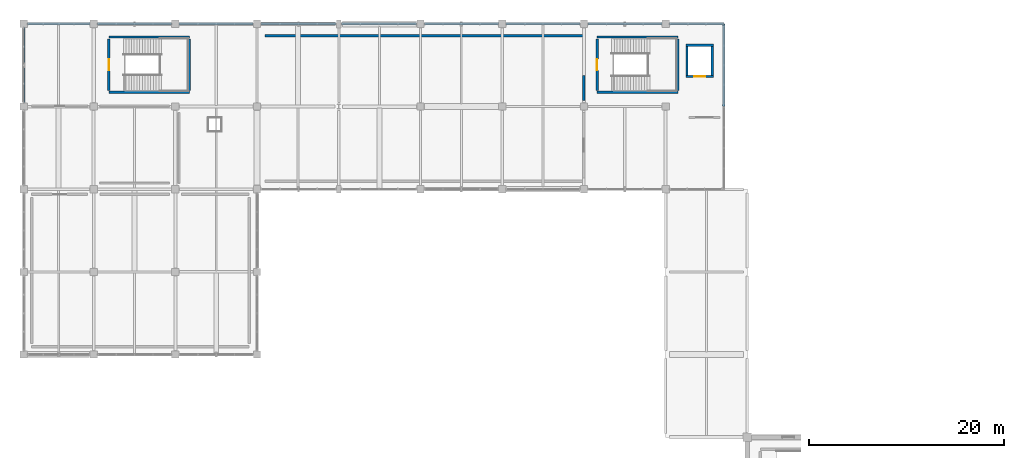
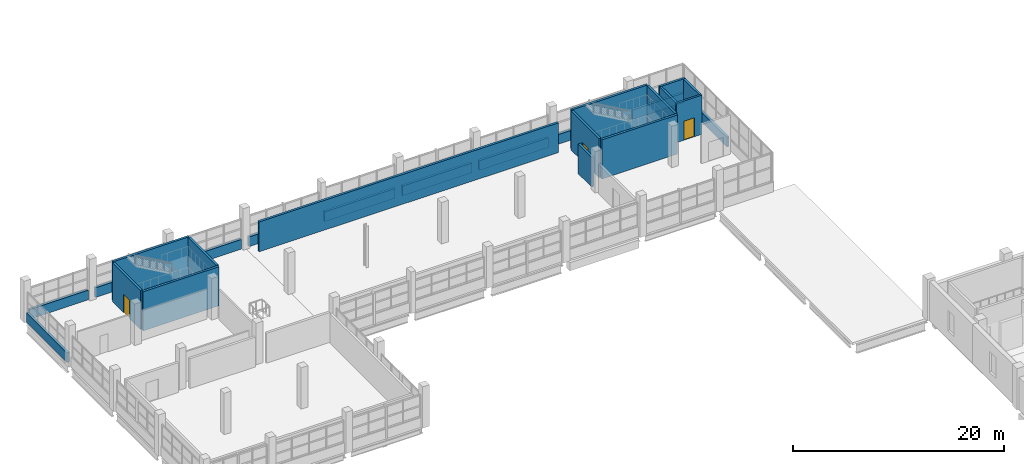
# One storey, part 106 of 117: 25 walls, 3 doors, 3 openings.
"""IFC4 building model written with IfcOpenShell, lengths in metres."""

import ifcopenshell
import ifcopenshell.guid

model = None  # the IFC model being written
_history = None  # IfcOwnerHistory: only IFC2X3 demands one
_inside = {}  # id of a spatial element -> (the spatial element, [elements in it])
_under = {}  # id of a project, library or spatial element -> (it, [spatial elements below it])
_declared = {}  # id of a project -> (the project, [libraries it declares])
_typed = {}  # id of a type object -> (the type object, [elements of that type])
_made_of = {}  # id of a material, layer set ... -> (it, [elements and type objects made of it])


def new_model(schema):
    """Start an empty IFC model of exactly this schema.

    Asked for "IFC4X3", IfcOpenShell would pick the latest addendum, in which some entities
    have other attributes; the version numbers below select the first issue.
    IFC2X3 requires an IfcOwnerHistory on every rooted entity: one is made here for all.
    """
    global model, _history
    if schema == "IFC4X3":
        model = ifcopenshell.file(schema_version=(4, 3, 0, 0))
    else:
        model = ifcopenshell.file(schema=schema)
    _inside.clear()
    _under.clear()
    _declared.clear()
    _typed.clear()
    _made_of.clear()
    _history = None
    if model.schema == "IFC2X3":
        org = make("IfcOrganization", Name="unknown")
        user = make(
            "IfcPersonAndOrganization",
            ThePerson=make("IfcPerson", FamilyName="unknown"),
            TheOrganization=org,
        )
        app = make(
            "IfcApplication",
            ApplicationDeveloper=org,
            Version="unknown",
            ApplicationFullName="unknown",
            ApplicationIdentifier="unknown",
        )
        _history = make(
            "IfcOwnerHistory",
            OwningUser=user,
            OwningApplication=app,
            ChangeAction="ADDED",
            CreationDate=0,
        )
    return model


def make(cls, **values):
    """One entity of the class cls with the attributes given. An attribute that is None is left unset."""
    return model.create_entity(
        cls, **{name: value for name, value in values.items() if value is not None}
    )


def rooted(cls, **values):
    """An entity with a GlobalId (a new one), such as an element, a storey or a relation."""
    return make(cls, GlobalId=ifcopenshell.guid.new(), OwnerHistory=_history, **values)


def si_unit(unit_type, name, prefix=None):
    """IfcSIUnit, for example si_unit("LENGTHUNIT", "METRE", prefix="MILLI")."""
    return make("IfcSIUnit", UnitType=unit_type, Prefix=prefix, Name=name)


def assignment(units):
    """IfcUnitAssignment: the units of a project."""
    return None if units is None else make("IfcUnitAssignment", Units=units)


def point(xyz):
    """IfcCartesianPoint."""
    return None if xyz is None else make("IfcCartesianPoint", Coordinates=xyz)


def direction(xyz):
    """IfcDirection."""
    return None if xyz is None else make("IfcDirection", DirectionRatios=xyz)


def frame(location, z_axis=None, x_axis=None):
    """IfcAxis2Placement3D, a coordinate frame: its origin and axes. An axis left out is left unset."""
    return make(
        "IfcAxis2Placement3D",
        Location=point(location),
        Axis=direction(z_axis),
        RefDirection=direction(x_axis),
    )


def frame_2d(location, x_axis=None):
    """IfcAxis2Placement2D, a coordinate frame in the plane: its origin and x axis."""
    return make(
        "IfcAxis2Placement2D", Location=point(location), RefDirection=direction(x_axis)
    )


def origin():
    """The frame at (0, 0, 0) with its axes left unset."""
    return frame((0.0, 0.0, 0.0))


def place(relative_to, where):
    """IfcLocalPlacement: puts the frame where relative to a parent placement (None: the world)."""
    return make(
        "IfcLocalPlacement", PlacementRelTo=relative_to, RelativePlacement=where
    )


def context(
    kind, dimensions, precision=None, world=None, true_north=None, identifier=None
):
    """IfcGeometricRepresentationContext, for example the 3D "Model" context."""
    return make(
        "IfcGeometricRepresentationContext",
        ContextIdentifier=identifier,
        ContextType=kind,
        CoordinateSpaceDimension=dimensions,
        Precision=precision,
        WorldCoordinateSystem=world,
        TrueNorth=true_north,
    )


def subcontext(parent, identifier, kind, view, scale=None):
    """IfcGeometricRepresentationSubContext, for example "Body" below "Model"."""
    return make(
        "IfcGeometricRepresentationSubContext",
        ContextIdentifier=identifier,
        ContextType=kind,
        ParentContext=parent,
        TargetScale=scale,
        TargetView=view,
    )


def project(units=None, contexts=None):
    """IfcProject with its units and contexts."""
    return rooted(
        "IfcProject",
        Name="project",
        RepresentationContexts=contexts,
        UnitsInContext=assignment(units),
    )


def spatial(cls, under=None, at=None, **own):
    """A site, building, storey or space (cls), placed at a placement, below another one or the project."""
    s = rooted(cls, ObjectPlacement=at, **own)
    if under is not None:
        _under.setdefault(under.id(), (under, []))[1].append(s)
    return s


def profile(cls, at=None, kind="AREA", **sizes):
    """A parametric profile (cls). Its sizes go by their IFC names, for example OverallWidth=200.0."""
    return make(cls, ProfileType=kind, Position=at, **sizes)


def rectangle(**sizes):
    """IfcRectangleProfileDef."""
    return profile("IfcRectangleProfileDef", **sizes)


def extrude(swept, where, along, depth):
    """IfcExtrudedAreaSolid: the profile swept, set in the frame where, extruded along a direction by depth."""
    return make(
        "IfcExtrudedAreaSolid",
        SweptArea=swept,
        Position=where,
        ExtrudedDirection=direction(along),
        Depth=depth,
    )


def shape(context_of_items, identifier, shape_type, items):
    """IfcShapeRepresentation: the items that make up one representation, for example the "Body"."""
    return make(
        "IfcShapeRepresentation",
        ContextOfItems=context_of_items,
        RepresentationIdentifier=identifier,
        RepresentationType=shape_type,
        Items=items,
    )


def material(Name=None, Category=None):
    """IfcMaterial."""
    return make("IfcMaterial", Name=Name, Category=Category)


def layer(
    of_material, thickness, ventilated=None, Name=None, Category=None, Priority=None
):
    """IfcMaterialLayer: one layer of a wall or slab, of a material (None: an air gap)."""
    return make(
        "IfcMaterialLayer",
        Material=of_material,
        LayerThickness=thickness,
        IsVentilated=ventilated,
        Name=Name,
        Category=Category,
        Priority=Priority,
    )


def layer_set(layers, Name=None):
    """IfcMaterialLayerSet."""
    return make("IfcMaterialLayerSet", MaterialLayers=layers, LayerSetName=Name)


def made_of(thing, what):
    """Note that an element or type object is made of a material, layer set ...; save() writes the relation."""
    if what is not None:
        _made_of.setdefault(what.id(), (what, []))[1].append(thing)
    return thing


def type_object(cls, material=None, **own):
    """A type object (cls), such as IfcWallType, which elements share."""
    return made_of(rooted(cls, **own), material)


def element(
    cls,
    number,
    at=None,
    inside=None,
    cuts=None,
    type_object=None,
    material=None,
    context=None,
    identifier="Body",
    shape_type=None,
    held_by="IfcProductDefinitionShape",
    body=None,
    shapes=None,
    **own,
):
    """One element of the class cls, such as IfcWall. Its Tag is "e" and its number.

    at: its placement. inside: the storey or other place that contains it. cuts: it is an
    opening in that element (IfcRelVoidsElement). A single representation is given by context,
    identifier, shape_type and body (its items); several are given by shapes. held_by: the class
    of the entity that holds the representations. save() writes the other relations.
    """
    e = rooted(cls, Tag="e%d" % number, ObjectPlacement=at, **own)
    if body is not None:
        shapes = [shape(context, identifier, shape_type, body)]
    if shapes is not None:
        e.Representation = make(held_by, Representations=shapes)
    if inside is not None:
        _inside.setdefault(inside.id(), (inside, []))[1].append(e)
    if cuts is not None:
        rooted(
            "IfcRelVoidsElement", RelatingBuildingElement=cuts, RelatedOpeningElement=e
        )
    if type_object is not None:
        _typed.setdefault(type_object.id(), (type_object, []))[1].append(e)
    return made_of(e, material)


def fill(opening, filler):
    """IfcRelFillsElement: the door or window that sits in an opening."""
    return rooted(
        "IfcRelFillsElement",
        RelatingOpeningElement=opening,
        RelatedBuildingElement=filler,
    )


def aggregate(whole, parts):
    """IfcRelAggregates: a whole, such as a stair, and the parts it consists of."""
    return rooted("IfcRelAggregates", RelatingObject=whole, RelatedObjects=parts)


def save(model, path):
    """Write the relations noted so far, then the file.

    IfcRelAggregates (storeys below a building ...), IfcRelContainedInSpatialStructure (elements
    in a storey), IfcRelDefinesByType, IfcRelAssociatesMaterial and IfcRelDeclares: one each for
    every whole, place, type object, material and project.
    """
    for whole, parts in _under.values():
        aggregate(whole, parts)
    for where, things in _inside.values():
        rooted(
            "IfcRelContainedInSpatialStructure",
            RelatedElements=things,
            RelatingStructure=where,
        )
    for kind, things in _typed.values():
        rooted("IfcRelDefinesByType", RelatedObjects=things, RelatingType=kind)
    for what, things in _made_of.values():
        rooted("IfcRelAssociatesMaterial", RelatedObjects=things, RelatingMaterial=what)
    for by, libraries in _declared.values():
        rooted("IfcRelDeclares", RelatingContext=by, RelatedDefinitions=libraries)
    model.write(path)


model = new_model("IFC4")

# Units and contexts
model_context = context("Model", 3, precision=1e-05, world=origin(), true_north=direction((0.0, 1.0)))
body_context = subcontext(model_context, "Body", "Model", "MODEL_VIEW")
ifc_project = project(units=[si_unit("LENGTHUNIT", "METRE"), si_unit("AREAUNIT", "SQUARE_METRE"), si_unit("VOLUMEUNIT", "CUBIC_METRE"), si_unit("PLANEANGLEUNIT", "RADIAN"), si_unit("MASSUNIT", "GRAM", prefix="KILO")], contexts=[model_context])

# Site, building, storey
site_placement = place(None, origin())
site = spatial("IfcSite", under=ifc_project, at=site_placement, CompositionType="ELEMENT")
building_placement = place(site_placement, origin())
building = spatial("IfcBuilding", under=site, at=building_placement, Name="Solvento Point Concert Hall", CompositionType="ELEMENT")
storey_placement = place(building_placement, frame((0.0, 0.0, 5.39990234375)))
storey = spatial("IfcBuildingStorey", under=building, at=storey_placement, Name="L01", CompositionType="ELEMENT", Elevation=5.39990234375)

# Walls
ifc_material_1 = material(Name="Acoustic Double-Stud Gypsum Partition")
ifc_layer_1 = layer(ifc_material_1, 0.2451171875)
ifc_layer_set_1 = layer_set([ifc_layer_1], Name="Acoustic Double-Stud Gypsum Partition")
wall_type_1 = type_object("IfcWallType", Name="AcousticPartition_245", PredefinedType="PARTITIONING", material=ifc_layer_set_1)
wall_1_placement = place(storey_placement, frame((24.820068359375, 134.780029296875, 0.0), z_axis=(0.0, 0.0, 1.0), x_axis=(1.0, 0.0, 0.0)))
element("IfcWall", 1, at=wall_1_placement, inside=storey, type_object=wall_type_1, Name="Interior acoustic partition PW-28 L01", PredefinedType="PARTITIONING", context=body_context, shape_type="SweptSolid", body=[
    extrude(rectangle(XDim=32.760009765625, YDim=0.2451171875, at=frame_2d((16.3798828125, 0.0))), origin(), (0.0, 0.0, 1.0), 3.4501953125),
])
wall_2_placement = place(storey_placement, frame((57.580078125, 130.712890625, 0.0), z_axis=(0.0, 0.0, 1.0), x_axis=(0.0, -1.0, 0.0)))
element("IfcWall", 2, at=wall_2_placement, inside=storey, type_object=wall_type_1, Name="Interior acoustic partition PW-28 L01", PredefinedType="PARTITIONING", context=body_context, shape_type="SweptSolid", body=[
    extrude(rectangle(XDim=2.587890625, YDim=0.2451171875, at=frame_2d((1.2939453125, 0.0))), origin(), (0.0, 0.0, 1.0), 3.4501953125),
])
ifc_material_2 = material(Name="Concrete C40/50", Category="concrete")
ifc_layer_2 = layer(ifc_material_2, 0.300048828125)
ifc_layer_set_2 = layer_set([ifc_layer_2], Name="Concrete C40/50")
wall_type_2 = type_object("IfcWallType", Name="CoreShearWall_300", PredefinedType="SHEAR", material=ifc_layer_set_2)
for number, where, z_axis, x_axis, name in (
    (3, (67.25, 128.949951171875, 0.0), (0.0, 0.0, 1.0), (-1.0, 0.0, 0.0), "Stair core shear wall W-SH1 ST-04 L01"),
    (4, (58.949951171875, 134.64990234375, 0.0), (0.0, 0.0, 1.0), (1.0, 0.0, 0.0), "Stair core shear wall W-SH1 ST-04 L01"),
):
    element("IfcWall", number, at=place(storey_placement, frame(where, z_axis=z_axis, x_axis=x_axis)), inside=storey, type_object=wall_type_2, Name=name, PredefinedType="SHEAR", context=body_context, shape_type="SweptSolid", body=[
        extrude(rectangle(XDim=8.300048828125, YDim=0.25, at=frame_2d((4.14990234375, 0.0))), origin(), (0.0, 0.0, 1.0), 4.530029296875),
    ])

# Wall, opening, door
wall_3_placement = place(storey_placement, frame((58.949951171875, 129.14990234375, 0.0), z_axis=(0.0, 0.0, 1.0), x_axis=(0.0, 1.0, 0.0)))
wall_3 = element("IfcWall", 5, at=wall_3_placement, inside=storey, type_object=wall_type_2, Name="Stair core shear wall W-SH1 ST-04 L01", PredefinedType="SHEAR", context=body_context, shape_type="SweptSolid", body=[
    extrude(rectangle(XDim=5.300048828125, YDim=0.25, at=frame_2d((2.64990234375, 0.0))), origin(), (0.0, 0.0, 1.0), 4.530029296875),
])
opening_1_placement = place(wall_3_placement, frame((2.074951171875, 0.0, 0.0)))
opening_1 = element("IfcOpeningElement", 6, at=opening_1_placement, cuts=wall_3, Name="Opening D-ST1", PredefinedType="OPENING", context=body_context, shape_type="SweptSolid", body=[
    extrude(rectangle(XDim=1.14990234375, YDim=2.179931640625, at=frame_2d((0.574951171875, 1.08984375))), frame((0.0, 0.135009765625, 0.0), z_axis=(0.0, -1.0, 0.0), x_axis=(1.0, 0.0, 0.0)), (0.0, 0.0, 1.0), 0.27001953125),
])
ifc_material_3 = material(Name="Hollow Metal Acoustic Fire Door")
door_type_1 = type_object("IfcDoorType", Name="StairFireDoor_1150", OperationType="NOTDEFINED", PredefinedType="DOOR", material=ifc_material_3)
door_1_placement = place(opening_1_placement, origin())
door_1 = element("IfcDoor", 7, at=door_1_placement, inside=storey, type_object=door_type_1, Name="Protected exit stair door ST-04 L01", OperationType="SINGLE_SWING_LEFT", OverallHeight=2.179931640625, OverallWidth=1.14990234375, PredefinedType="DOOR", context=body_context, shape_type="SweptSolid", body=[
    extrude(rectangle(XDim=1.14990234375, YDim=2.179931640625, at=frame_2d((0.574951171875, 1.08984375))), frame((0.0, 0.02490234375, 0.0), z_axis=(0.0, -1.0, 0.0), x_axis=(1.0, 0.0, 0.0)), (0.0, 0.0, 1.0), 0.050048828125),
])
fill(opening_1, door_1)

# Walls
wall_4_placement = place(storey_placement, frame((67.25, 134.449951171875, 0.0), z_axis=(0.0, 0.0, 1.0), x_axis=(0.0, -1.0, 0.0)))
element("IfcWall", 8, at=wall_4_placement, inside=storey, type_object=wall_type_2, Name="Stair core shear wall W-SH1 ST-04 L01", PredefinedType="SHEAR", context=body_context, shape_type="SweptSolid", body=[
    extrude(rectangle(XDim=5.300048828125, YDim=0.25, at=frame_2d((2.64990234375, 0.0))), origin(), (0.0, 0.0, 1.0), 4.530029296875),
])
for number, where, z_axis, x_axis, name in (
    (9, (17.050048828125, 128.949951171875, 0.0), (0.0, 0.0, 1.0), (-1.0, 0.0, 0.0), "Stair core shear wall W-SH1 ST-05 L01"),
    (10, (8.75, 134.64990234375, 0.0), (0.0, 0.0, 1.0), (1.0, 0.0, 0.0), "Stair core shear wall W-SH1 ST-05 L01"),
):
    element("IfcWall", number, at=place(storey_placement, frame(where, z_axis=z_axis, x_axis=x_axis)), inside=storey, type_object=wall_type_2, Name=name, PredefinedType="SHEAR", context=body_context, shape_type="SweptSolid", body=[
        extrude(rectangle(XDim=8.300048828125, YDim=0.25, at=frame_2d((4.14990234375, 0.0))), origin(), (0.0, 0.0, 1.0), 4.530029296875),
    ])

# Wall, opening, door
wall_5_placement = place(storey_placement, frame((8.75, 129.14990234375, 0.0), z_axis=(0.0, 0.0, 1.0), x_axis=(0.0, 1.0, 0.0)))
wall_5 = element("IfcWall", 11, at=wall_5_placement, inside=storey, type_object=wall_type_2, Name="Stair core shear wall W-SH1 ST-05 L01", PredefinedType="SHEAR", context=body_context, shape_type="SweptSolid", body=[
    extrude(rectangle(XDim=5.300048828125, YDim=0.25, at=frame_2d((2.64990234375, 0.0))), origin(), (0.0, 0.0, 1.0), 4.530029296875),
])
opening_2_placement = place(wall_5_placement, frame((2.074951171875, 0.0, 0.0)))
opening_2 = element("IfcOpeningElement", 12, at=opening_2_placement, cuts=wall_5, Name="Opening D-ST1", PredefinedType="OPENING", context=body_context, shape_type="SweptSolid", body=[
    extrude(rectangle(XDim=1.14990234375, YDim=2.179931640625, at=frame_2d((0.574951171875, 1.08984375))), frame((0.0, 0.135009765625, 0.0), z_axis=(0.0, -1.0, 0.0), x_axis=(1.0, 0.0, 0.0)), (0.0, 0.0, 1.0), 0.27001953125),
])
door_2_placement = place(opening_2_placement, origin())
door_2 = element("IfcDoor", 13, at=door_2_placement, inside=storey, type_object=door_type_1, Name="Protected exit stair door ST-05 L01", OperationType="SINGLE_SWING_RIGHT", OverallHeight=2.179931640625, OverallWidth=1.14990234375, PredefinedType="DOOR", context=body_context, shape_type="SweptSolid", body=[
    extrude(rectangle(XDim=1.14990234375, YDim=2.179931640625, at=frame_2d((0.574951171875, 1.08984375))), frame((0.0, 0.02490234375, 0.0), z_axis=(0.0, -1.0, 0.0), x_axis=(1.0, 0.0, 0.0)), (0.0, 0.0, 1.0), 0.050048828125),
])
fill(opening_2, door_2)

# Wall
wall_6_placement = place(storey_placement, frame((17.050048828125, 134.449951171875, 0.0), z_axis=(0.0, 0.0, 1.0), x_axis=(0.0, -1.0, 0.0)))
element("IfcWall", 14, at=wall_6_placement, inside=storey, type_object=wall_type_2, Name="Stair core shear wall W-SH1 ST-05 L01", PredefinedType="SHEAR", context=body_context, shape_type="SweptSolid", body=[
    extrude(rectangle(XDim=5.300048828125, YDim=0.25, at=frame_2d((2.64990234375, 0.0))), origin(), (0.0, 0.0, 1.0), 4.530029296875),
])

# Wall, opening, door
wall_7_placement = place(storey_placement, frame((68.090087890625, 130.60009765625, 0.0), z_axis=(0.0, 0.0, 1.0), x_axis=(1.0, 0.0, 0.0)))
wall_7 = element("IfcWall", 15, at=wall_7_placement, inside=storey, type_object=wall_type_2, Name="Elevator shaft shear wall W-SH1 LP-03 L01", PredefinedType="SHEAR", context=body_context, shape_type="SweptSolid", body=[
    extrude(rectangle(XDim=2.81982421875, YDim=0.219970703125, at=frame_2d((1.409912109375, 0.0))), origin(), (0.0, 0.0, 1.0), 4.530029296875),
])
opening_3_placement = place(wall_7_placement, frame((0.8349609375, 0.0, 0.0)))
opening_3 = element("IfcOpeningElement", 16, at=opening_3_placement, cuts=wall_7, Name="Opening LD-02", PredefinedType="OPENING", context=body_context, shape_type="SweptSolid", body=[
    extrude(rectangle(XDim=1.14990234375, YDim=2.199951171875, at=frame_2d((0.574951171875, 1.10009765625))), frame((0.0, 0.119873046875, 0.0), z_axis=(0.0, -1.0, 0.0), x_axis=(1.0, 0.0, 0.0)), (0.0, 0.0, 1.0), 0.239990234375),
])
ifc_material_4 = material(Name="Hollow Metal Acoustic Fire Door")
door_type_2 = type_object("IfcDoorType", Name="LiftLandingDoor_Pass", OperationType="SLIDING_TO_LEFT", PredefinedType="DOOR", material=ifc_material_4)
door_3_placement = place(opening_3_placement, origin())
door_3 = element("IfcDoor", 17, at=door_3_placement, inside=storey, type_object=door_type_2, Name="Elevator landing door LP-03 L01", OperationType="SLIDING_TO_LEFT", OverallHeight=2.199951171875, OverallWidth=1.14990234375, PredefinedType="DOOR", context=body_context, shape_type="SweptSolid", body=[
    extrude(rectangle(XDim=1.14990234375, YDim=2.199951171875, at=frame_2d((0.574951171875, 1.10009765625))), frame((0.0, 0.02490234375, 0.0), z_axis=(0.0, -1.0, 0.0), x_axis=(1.0, 0.0, 0.0)), (0.0, 0.0, 1.0), 0.050048828125),
])
fill(opening_3, door_3)

# Walls
wall_8_placement = place(storey_placement, frame((68.090087890625, 133.800048828125, 0.0), z_axis=(0.0, 0.0, 1.0), x_axis=(1.0, 0.0, 0.0)))
element("IfcWall", 18, at=wall_8_placement, inside=storey, type_object=wall_type_2, Name="Elevator shaft shear wall W-SH1 LP-03 L01", PredefinedType="SHEAR", context=body_context, shape_type="SweptSolid", body=[
    extrude(rectangle(XDim=2.81982421875, YDim=0.219970703125, at=frame_2d((1.409912109375, 0.0))), origin(), (0.0, 0.0, 1.0), 4.530029296875),
])
for number, where, z_axis, x_axis, name in (
    (19, (68.199951171875, 130.7099609375, 0.0), (0.0, 0.0, 1.0), (0.0, 1.0, 0.0), "Elevator shaft shear wall W-SH1 LP-03 L01"),
    (20, (70.800048828125, 130.7099609375, 0.0), (0.0, 0.0, 1.0), (0.0, 1.0, 0.0), "Elevator shaft shear wall W-SH1 LP-03 L01"),
):
    element("IfcWall", number, at=place(storey_placement, frame(where, z_axis=z_axis, x_axis=x_axis)), inside=storey, type_object=wall_type_2, Name=name, PredefinedType="SHEAR", context=body_context, shape_type="SweptSolid", body=[
        extrude(rectangle(XDim=2.97998046875, YDim=0.219970703125, at=frame_2d((1.489990234375, 0.0))), origin(), (0.0, 0.0, 1.0), 4.530029296875),
    ])
ifc_material_5 = material(Name="Concrete C40/50", Category="concrete")
ifc_layer_3 = layer(ifc_material_5, 0.260009765625)
ifc_layer_set_3 = layer_set([ifc_layer_3], Name="Concrete C40/50")
wall_type_3 = type_object("IfcWallType", Name="Parapet_Ring_260", PredefinedType="PARAPET", material=ifc_layer_set_3)
wall_9_placement = place(storey_placement, frame((0.0, 127.89501953125, 0.0), z_axis=(0.0, 0.0, 1.0), x_axis=(0.0, 1.0, 0.0)))
element("IfcWall", 21, at=wall_9_placement, inside=storey, type_object=wall_type_3, Name="Sliding elliptical white concrete ring spandrel PR-01 L01", PredefinedType="PARAPET", context=body_context, shape_type="SweptSolid", body=[
    extrude(rectangle(XDim=7.7099609375, YDim=0.260009765625, at=frame_2d((3.85498046875, 0.0))), origin(), (0.0, 0.0, 1.0), 1.1201171875),
])
wall_10_placement = place(storey_placement, frame((0.39501953125, 136.0, 0.0), z_axis=(0.0, 0.0, 1.0), x_axis=(1.0, 0.0, 0.0)))
element("IfcWall", 22, at=wall_10_placement, inside=storey, type_object=wall_type_3, Name="Sliding elliptical white concrete ring spandrel PR-01 L01", PredefinedType="PARAPET", context=body_context, shape_type="SweptSolid", body=[
    extrude(rectangle(XDim=6.409912109375, YDim=0.260009765625, at=frame_2d((3.205078125, 0.0))), origin(), (0.0, 0.0, 1.0), 1.1201171875),
])
wall_11_placement = place(storey_placement, frame((7.594970703125, 136.0, 0.0), z_axis=(0.0, 0.0, 1.0), x_axis=(1.0, 0.0, 0.0)))
element("IfcWall", 23, at=wall_11_placement, inside=storey, type_object=wall_type_3, Name="Sliding elliptical white concrete ring spandrel PR-01 L01", PredefinedType="PARAPET", context=body_context, shape_type="SweptSolid", body=[
    extrude(rectangle(XDim=7.610107421875, YDim=0.260009765625, at=frame_2d((3.80517578125, 0.0))), origin(), (0.0, 0.0, 1.0), 1.1201171875),
])
wall_12_placement = place(storey_placement, frame((15.9951171875, 136.0, 0.0), z_axis=(0.0, 0.0, 1.0), x_axis=(1.0, 0.0, 0.0)))
element("IfcWall", 24, at=wall_12_placement, inside=storey, type_object=wall_type_3, Name="Sliding elliptical white concrete ring spandrel PR-01 L01", PredefinedType="PARAPET", context=body_context, shape_type="SweptSolid", body=[
    extrude(rectangle(XDim=7.60986328125, YDim=0.260009765625, at=frame_2d((3.804931640625, 0.0))), origin(), (0.0, 0.0, 1.0), 1.1201171875),
])
wall_13_placement = place(storey_placement, frame((24.39501953125, 136.0, 0.0), z_axis=(0.0, 0.0, 1.0), x_axis=(1.0, 0.0, 0.0)))
element("IfcWall", 25, at=wall_13_placement, inside=storey, type_object=wall_type_3, Name="Sliding elliptical white concrete ring spandrel PR-01 L01", PredefinedType="PARAPET", context=body_context, shape_type="SweptSolid", body=[
    extrude(rectangle(XDim=7.73486328125, YDim=0.260009765625, at=frame_2d((3.867431640625, 0.0))), origin(), (0.0, 0.0, 1.0), 1.1201171875),
])
wall_14_placement = place(storey_placement, frame((32.669921875, 136.0, 0.0), z_axis=(0.0, 0.0, 1.0), x_axis=(1.0, 0.0, 0.0)))
element("IfcWall", 26, at=wall_14_placement, inside=storey, type_object=wall_type_3, Name="Sliding elliptical white concrete ring spandrel PR-01 L01", PredefinedType="PARAPET", context=body_context, shape_type="SweptSolid", body=[
    extrude(rectangle(XDim=7.735107421875, YDim=0.260009765625, at=frame_2d((3.86767578125, 0.0))), origin(), (0.0, 0.0, 1.0), 1.1201171875),
])
wall_15_placement = place(storey_placement, frame((41.195068359375, 136.0, 0.0), z_axis=(0.0, 0.0, 1.0), x_axis=(1.0, 0.0, 0.0)))
element("IfcWall", 27, at=wall_15_placement, inside=storey, type_object=wall_type_3, Name="Sliding elliptical white concrete ring spandrel PR-01 L01", PredefinedType="PARAPET", context=body_context, shape_type="SweptSolid", body=[
    extrude(rectangle(XDim=7.60986328125, YDim=0.260009765625, at=frame_2d((3.804931640625, 0.0))), origin(), (0.0, 0.0, 1.0), 1.1201171875),
])
wall_16_placement = place(storey_placement, frame((49.594970703125, 136.0, 0.0), z_axis=(0.0, 0.0, 1.0), x_axis=(1.0, 0.0, 0.0)))
element("IfcWall", 28, at=wall_16_placement, inside=storey, type_object=wall_type_3, Name="Sliding elliptical white concrete ring spandrel PR-01 L01", PredefinedType="PARAPET", context=body_context, shape_type="SweptSolid", body=[
    extrude(rectangle(XDim=7.610107421875, YDim=0.260009765625, at=frame_2d((3.80517578125, 0.0))), origin(), (0.0, 0.0, 1.0), 1.1201171875),
])
wall_17_placement = place(storey_placement, frame((57.9951171875, 136.0, 0.0), z_axis=(0.0, 0.0, 1.0), x_axis=(1.0, 0.0, 0.0)))
element("IfcWall", 29, at=wall_17_placement, inside=storey, type_object=wall_type_3, Name="Sliding elliptical white concrete ring spandrel PR-01 L01", PredefinedType="PARAPET", context=body_context, shape_type="SweptSolid", body=[
    extrude(rectangle(XDim=7.60986328125, YDim=0.260009765625, at=frame_2d((3.804931640625, 0.0))), origin(), (0.0, 0.0, 1.0), 1.1201171875),
])
wall_18_placement = place(storey_placement, frame((66.39501953125, 136.0, 0.0), z_axis=(0.0, 0.0, 1.0), x_axis=(1.0, 0.0, 0.0)))
element("IfcWall", 30, at=wall_18_placement, inside=storey, type_object=wall_type_3, Name="Sliding elliptical white concrete ring spandrel PR-01 L01", PredefinedType="PARAPET", context=body_context, shape_type="SweptSolid", body=[
    extrude(rectangle(XDim=5.60498046875, YDim=0.260009765625, at=frame_2d((2.802490234375, 0.0))), origin(), (0.0, 0.0, 1.0), 1.1201171875),
])
wall_19_placement = place(storey_placement, frame((72.0, 136.0, 0.0), z_axis=(0.0, 0.0, 1.0), x_axis=(0.0, -1.0, 0.0)))
element("IfcWall", 31, at=wall_19_placement, inside=storey, type_object=wall_type_3, Name="Sliding elliptical white concrete ring spandrel PR-01 L01", PredefinedType="PARAPET", context=body_context, shape_type="SweptSolid", body=[
    extrude(rectangle(XDim=8.5, YDim=0.260009765625, at=frame_2d((4.25, 0.0))), origin(), (0.0, 0.0, 1.0), 1.1201171875),
])

save(model, "model.ifc")
